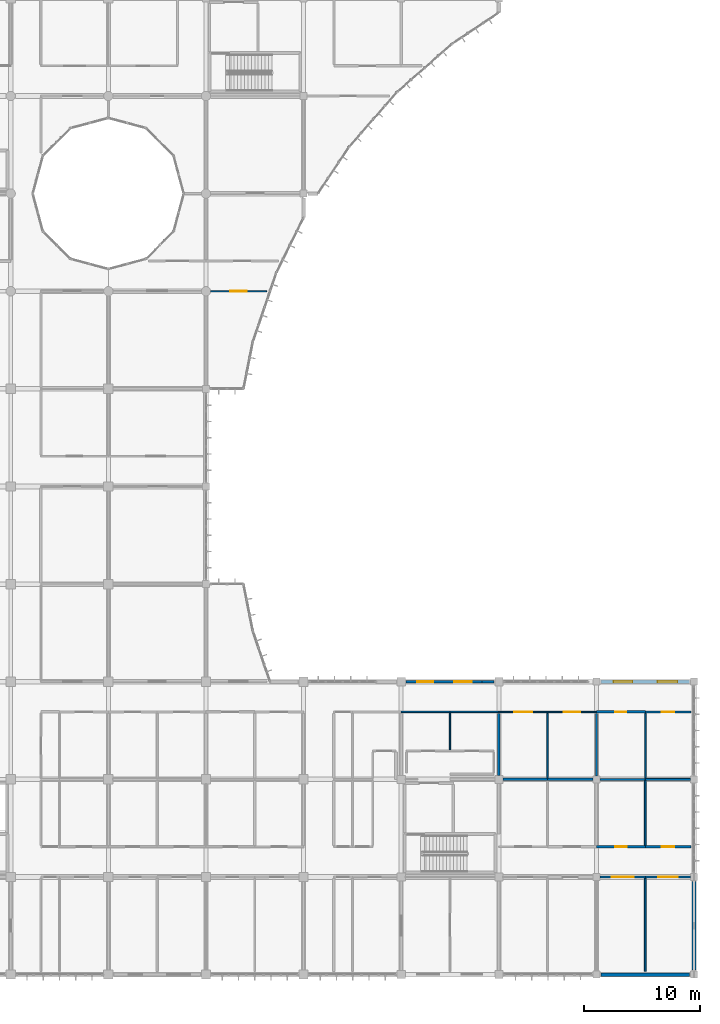
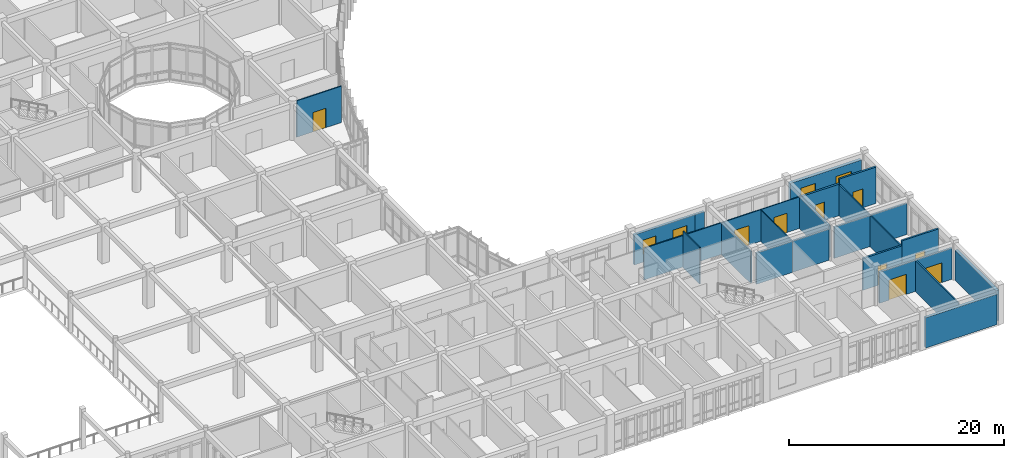
# One storey, part 118 of 144: 27 walls, 9 doors, 4 windows, 13 openings.
"""IFC4 building model written with IfcOpenShell, lengths in metres."""

from ifc_helpers import new_model, si_unit, direction, frame, frame_2d, origin, place, context, subcontext, project, spatial, rectangle, extrude, material, layer, layer_set, type_object, element, fill, save


model = new_model("IFC4")

# Units and contexts
model_context = context("Model", 3, precision=1e-05, world=origin(), true_north=direction((0.0, 1.0)))
body_context = subcontext(model_context, "Body", "Model", "MODEL_VIEW")
ifc_project = project(units=[si_unit("LENGTHUNIT", "METRE"), si_unit("AREAUNIT", "SQUARE_METRE"), si_unit("VOLUMEUNIT", "CUBIC_METRE"), si_unit("PLANEANGLEUNIT", "RADIAN"), si_unit("MASSUNIT", "GRAM", prefix="KILO")], contexts=[model_context])

# Site, building, storey
site_placement = place(None, origin())
site = spatial("IfcSite", under=ifc_project, at=site_placement, CompositionType="ELEMENT")
building_placement = place(site_placement, origin())
building = spatial("IfcBuilding", under=site, at=building_placement, Name="Bramfleet General Hospital", CompositionType="ELEMENT")
storey_placement = place(building_placement, frame((0.0, 0.0, 4.800048828125)))
storey = spatial("IfcBuildingStorey", under=building, at=storey_placement, Name="L01", CompositionType="ELEMENT", Elevation=4.800048828125)

# Wall, openings, windows
ifc_material_1 = material(Name="Precast concrete C40/50", Category="concrete")
ifc_layer_1 = layer(ifc_material_1, 0.3349609375, Name="WT-EW-03")
ifc_layer_set_1 = layer_set([ifc_layer_1], Name="Precast concrete C40/50")
wall_type_1 = type_object("IfcWallType", Name="WT-EW-03", PredefinedType="SOLIDWALL", material=ifc_layer_set_1)
wall_1_placement = place(storey_placement, frame((159.97509765625, 25.199951171875, 0.0), z_axis=(0.0, 0.0, 1.0), x_axis=(1.0, 0.0, 0.0)))
wall_1 = element("IfcWall", 1, at=wall_1_placement, inside=storey, type_object=wall_type_1, Name="L01 Exterior Wall 183", PredefinedType="SOLIDWALL", context=body_context, shape_type="SweptSolid", body=[
    extrude(rectangle(XDim=7.64990234375, YDim=0.3349609375, at=frame_2d((3.824951171875, 0.0))), origin(), (0.0, 0.0, 1.0), 3.43994140625),
])
opening_1_placement = place(wall_1_placement, frame((1.112548828125, 0.0, 0.85009765625)))
opening_1 = element("IfcOpeningElement", 2, at=opening_1_placement, cuts=wall_1, Name="Opening W-36", PredefinedType="OPENING", context=body_context, shape_type="SweptSolid", body=[
    extrude(rectangle(XDim=1.60009765625, YDim=1.659912109375, at=frame_2d((0.800048828125, 0.830078125))), frame((0.0, 0.177490234375, 0.0), z_axis=(0.0, -1.0, 0.0), x_axis=(1.0, 0.0, 0.0)), (0.0, 0.0, 1.0), 0.35498046875),
])
opening_2_placement = place(wall_1_placement, frame((4.887451171875, 0.0, 0.85009765625)))
opening_2 = element("IfcOpeningElement", 3, at=opening_2_placement, cuts=wall_1, Name="Opening W-37", PredefinedType="OPENING", context=body_context, shape_type="SweptSolid", body=[
    extrude(rectangle(XDim=1.699951171875, YDim=1.659912109375, at=frame_2d((0.85009765625, 0.830078125))), frame((0.0, 0.177490234375, 0.0), z_axis=(0.0, -1.0, 0.0), x_axis=(1.0, 0.0, 0.0)), (0.0, 0.0, 1.0), 0.35498046875),
])
ifc_material_2 = material(Name="Anodised aluminium and low-E triple glazing", Category="aluminium")
window_type_1 = type_object("IfcWindowType", Name="WIN-W-36", PartitioningType="SINGLE_PANEL", PredefinedType="WINDOW", material=ifc_material_2)
window_1_placement = place(opening_1_placement, origin())
window_1 = element("IfcWindow", 4, at=window_1_placement, inside=storey, type_object=window_type_1, Name="L01 Facade Window WIN-L01-183-1", OverallHeight=1.659912109375, OverallWidth=1.60009765625, PartitioningType="SINGLE_PANEL", PredefinedType="WINDOW", context=body_context, shape_type="SweptSolid", body=[
    extrude(rectangle(XDim=1.60009765625, YDim=1.659912109375, at=frame_2d((0.800048828125, 0.830078125))), frame((0.0, 0.030029296875, 0.0), z_axis=(0.0, -1.0, 0.0), x_axis=(1.0, 0.0, 0.0)), (0.0, 0.0, 1.0), 0.06005859375),
])
fill(opening_1, window_1)
window_type_2 = type_object("IfcWindowType", Name="WIN-W-37", PartitioningType="SINGLE_PANEL", PredefinedType="WINDOW", material=ifc_material_2)
window_2_placement = place(opening_2_placement, origin())
window_2 = element("IfcWindow", 5, at=window_2_placement, inside=storey, type_object=window_type_2, Name="L01 Facade Window WIN-L01-183-2", OverallHeight=1.659912109375, OverallWidth=1.699951171875, PartitioningType="SINGLE_PANEL", PredefinedType="WINDOW", context=body_context, shape_type="SweptSolid", body=[
    extrude(rectangle(XDim=1.699951171875, YDim=1.659912109375, at=frame_2d((0.85009765625, 0.830078125))), frame((0.0, 0.030029296875, 0.0), z_axis=(0.0, -1.0, 0.0), x_axis=(1.0, 0.0, 0.0)), (0.0, 0.0, 1.0), 0.06005859375),
])
fill(opening_2, window_2)

# Walls
ifc_layer_2 = layer(ifc_material_1, 0.31494140625, Name="WT-EW-04")
ifc_layer_set_2 = layer_set([ifc_layer_2], Name="Precast concrete C40/50")
wall_type_2 = type_object("IfcWallType", Name="WT-EW-04", PredefinedType="SOLIDWALL", material=ifc_layer_set_2)
wall_2_placement = place(storey_placement, frame((168.0, 8.02490234375, 0.0), z_axis=(0.0, 0.0, 1.0), x_axis=(0.0, -1.0, 0.0)))
element("IfcWall", 6, at=wall_2_placement, inside=storey, type_object=wall_type_2, Name="L01 Exterior Wall 184", PredefinedType="SOLIDWALL", context=body_context, shape_type="SweptSolid", body=[
    extrude(rectangle(XDim=7.64990234375, YDim=0.31494140625, at=frame_2d((3.824951171875, 0.0))), origin(), (0.0, 0.0, 1.0), 3.43994140625),
])
ifc_layer_3 = layer(ifc_material_1, 0.294921875, Name="WT-EW-05")
ifc_layer_set_3 = layer_set([ifc_layer_3], Name="Precast concrete C40/50")
wall_type_3 = type_object("IfcWallType", Name="WT-EW-05", PredefinedType="SOLIDWALL", material=ifc_layer_set_3)
wall_3_placement = place(storey_placement, frame((167.625, 0.0, 0.0), z_axis=(0.0, 0.0, 1.0), x_axis=(-1.0, 0.0, 0.0)))
element("IfcWall", 7, at=wall_3_placement, inside=storey, type_object=wall_type_3, Name="L01 Exterior Wall 185", PredefinedType="SOLIDWALL", context=body_context, shape_type="SweptSolid", body=[
    extrude(rectangle(XDim=7.64990234375, YDim=0.294921875, at=frame_2d((3.824951171875, 0.0))), origin(), (0.0, 0.0, 1.0), 3.43994140625),
])

# Wall, openings, windows
ifc_layer_4 = layer(ifc_material_1, 0.25, Name="WT-EW-08")
ifc_layer_set_4 = layer_set([ifc_layer_4], Name="Precast concrete C40/50")
wall_type_4 = type_object("IfcWallType", Name="WT-EW-08", PredefinedType="SOLIDWALL", material=ifc_layer_set_4)
wall_4_placement = place(storey_placement, frame((143.22509765625, 25.199951171875, 0.0), z_axis=(0.0, 0.0, 1.0), x_axis=(1.0, 0.0, 0.0)))
wall_4 = element("IfcWall", 8, at=wall_4_placement, inside=storey, type_object=wall_type_4, Name="L01 Exterior Wall 181", PredefinedType="SOLIDWALL", context=body_context, shape_type="SweptSolid", body=[
    extrude(rectangle(XDim=6.535888671875, YDim=0.25, at=frame_2d((3.26806640625, 0.0))), origin(), (0.0, 0.0, 1.0), 3.43994140625),
])
opening_3_placement = place(wall_4_placement, frame((0.93408203125, 0.0, 0.85009765625)))
opening_3 = element("IfcOpeningElement", 9, at=opening_3_placement, cuts=wall_4, Name="Opening W-34", PredefinedType="OPENING", context=body_context, shape_type="SweptSolid", body=[
    extrude(rectangle(XDim=1.39990234375, YDim=1.659912109375, at=frame_2d((0.699951171875, 0.830078125))), frame((0.0, 0.135009765625, 0.0), z_axis=(0.0, -1.0, 0.0), x_axis=(1.0, 0.0, 0.0)), (0.0, 0.0, 1.0), 0.27001953125),
])
opening_4_placement = place(wall_4_placement, frame((4.152099609375, 0.0, 0.85009765625)))
opening_4 = element("IfcOpeningElement", 10, at=opening_4_placement, cuts=wall_4, Name="Opening W-35", PredefinedType="OPENING", context=body_context, shape_type="SweptSolid", body=[
    extrude(rectangle(XDim=1.5, YDim=1.659912109375, at=frame_2d((0.75, 0.830078125))), frame((0.0, 0.135009765625, 0.0), z_axis=(0.0, -1.0, 0.0), x_axis=(1.0, 0.0, 0.0)), (0.0, 0.0, 1.0), 0.27001953125),
])
window_type_3 = type_object("IfcWindowType", Name="WIN-W-34", PartitioningType="SINGLE_PANEL", PredefinedType="WINDOW", material=ifc_material_2)
window_3_placement = place(opening_3_placement, origin())
window_3 = element("IfcWindow", 11, at=window_3_placement, inside=storey, type_object=window_type_3, Name="L01 Facade Window WIN-L01-181-1", OverallHeight=1.659912109375, OverallWidth=1.39990234375, PartitioningType="SINGLE_PANEL", PredefinedType="WINDOW", context=body_context, shape_type="SweptSolid", body=[
    extrude(rectangle(XDim=1.39990234375, YDim=1.659912109375, at=frame_2d((0.699951171875, 0.830078125))), frame((0.0, 0.030029296875, 0.0), z_axis=(0.0, -1.0, 0.0), x_axis=(1.0, 0.0, 0.0)), (0.0, 0.0, 1.0), 0.06005859375),
])
fill(opening_3, window_3)
window_type_4 = type_object("IfcWindowType", Name="WIN-W-35", PartitioningType="SINGLE_PANEL", PredefinedType="WINDOW", material=ifc_material_2)
window_4_placement = place(opening_4_placement, origin())
window_4 = element("IfcWindow", 12, at=window_4_placement, inside=storey, type_object=window_type_4, Name="L01 Facade Window WIN-L01-181-2", OverallHeight=1.659912109375, OverallWidth=1.5, PartitioningType="SINGLE_PANEL", PredefinedType="WINDOW", context=body_context, shape_type="SweptSolid", body=[
    extrude(rectangle(XDim=1.5, YDim=1.659912109375, at=frame_2d((0.75, 0.830078125))), frame((0.0, 0.030029296875, 0.0), z_axis=(0.0, -1.0, 0.0), x_axis=(1.0, 0.0, 0.0)), (0.0, 0.0, 1.0), 0.06005859375),
])
fill(opening_4, window_4)

# Wall
ifc_layer_5 = layer(ifc_material_1, 0.235107421875, Name="WT-EW-09")
ifc_layer_set_5 = layer_set([ifc_layer_5], Name="Precast concrete C40/50")
wall_type_5 = type_object("IfcWallType", Name="WT-EW-09", PredefinedType="SOLIDWALL", material=ifc_layer_set_5)
wall_5_placement = place(storey_placement, frame((149.760986328125, 25.199951171875, 0.0), z_axis=(0.0, 0.0, 1.0), x_axis=(1.0, 0.0, 0.0)))
element("IfcWall", 13, at=wall_5_placement, inside=storey, type_object=wall_type_5, Name="L01 Exterior Wall 182", PredefinedType="SOLIDWALL", context=body_context, shape_type="SweptSolid", body=[
    extrude(rectangle(XDim=1.013916015625, YDim=0.235107421875, at=frame_2d((0.5068359375, 0.0))), origin(), (0.0, 0.0, 1.0), 3.43994140625),
])

# Wall, opening, door
ifc_material_3 = material(Name="Concrete C35/45", Category="concrete")
ifc_layer_6 = layer(ifc_material_3, 0.219970703125, Name="WT-IW-01")
ifc_layer_set_6 = layer_set([ifc_layer_6], Name="Concrete C35/45")
wall_type_6 = type_object("IfcWallType", Name="WT-IW-01", PredefinedType="PARTITIONING", material=ifc_layer_set_6)
wall_6_placement = place(storey_placement, frame((159.60009765625, 22.60009765625, 0.0), z_axis=(0.0, 0.0, 1.0), x_axis=(1.0, 0.0, 0.0)))
wall_6 = element("IfcWall", 14, at=wall_6_placement, inside=storey, type_object=wall_type_6, Name="L01 Interior Partition IW-L01-1309", PredefinedType="PARTITIONING", context=body_context, shape_type="SweptSolid", body=[
    extrude(rectangle(XDim=4.199951171875, YDim=0.219970703125, at=frame_2d((2.10009765625, 0.0))), origin(), (0.0, 0.0, 1.0), 3.58984375),
])
opening_5_placement = place(wall_6_placement, frame((1.625, 0.0, 0.0)))
opening_5 = element("IfcOpeningElement", 15, at=opening_5_placement, cuts=wall_6, Name="Opening D0842", PredefinedType="OPENING", context=body_context, shape_type="SweptSolid", body=[
    extrude(rectangle(XDim=0.949951171875, YDim=2.10009765625, at=frame_2d((0.47509765625, 1.050048828125))), frame((0.0, 0.119873046875, 0.0), z_axis=(0.0, -1.0, 0.0), x_axis=(1.0, 0.0, 0.0)), (0.0, 0.0, 1.0), 0.239990234375),
])
ifc_material_4 = material(Name="Stainless steel and acoustic timber leaf", Category="steel")
door_type_1 = type_object("IfcDoorType", Name="DR-D-10", OperationType="NOTDEFINED", PredefinedType="DOOR", material=ifc_material_4)
door_1_placement = place(opening_5_placement, origin())
door_1 = element("IfcDoor", 16, at=door_1_placement, inside=storey, type_object=door_type_1, Name="Outpatient Specialist Clinic L01-1902A Door D0842", OperationType="SINGLE_SWING_LEFT", OverallHeight=2.10009765625, OverallWidth=0.949951171875, PredefinedType="DOOR", context=body_context, shape_type="SweptSolid", body=[
    extrude(rectangle(XDim=0.949951171875, YDim=2.10009765625, at=frame_2d((0.47509765625, 1.050048828125))), frame((0.0, 0.02490234375, 0.0), z_axis=(0.0, -1.0, 0.0), x_axis=(1.0, 0.0, 0.0)), (0.0, 0.0, 1.0), 0.050048828125),
])
fill(opening_5, door_1)

ifc_layer_7 = layer(ifc_material_3, 0.205078125, Name="WT-IW-02")
ifc_layer_set_7 = layer_set([ifc_layer_7], Name="Concrete C35/45")
wall_type_7 = type_object("IfcWallType", Name="WT-IW-02", PredefinedType="PARTITIONING", material=ifc_layer_set_7)
wall_7_placement = place(storey_placement, frame((159.89501953125, 8.39990234375, 0.0), z_axis=(0.0, 0.0, 1.0), x_axis=(1.0, 0.0, 0.0)))
wall_7 = element("IfcWall", 17, at=wall_7_placement, inside=storey, type_object=wall_type_7, Name="L01 Interior Partition IW-L01-1226", PredefinedType="PARTITIONING", context=body_context, shape_type="SweptSolid", body=[
    extrude(rectangle(XDim=3.905029296875, YDim=0.205078125, at=frame_2d((1.95263671875, 0.0))), origin(), (0.0, 0.0, 1.0), 3.5400390625),
])
opening_6_placement = place(wall_7_placement, frame((1.00244140625, 0.0, 0.0)))
opening_6 = element("IfcOpeningElement", 18, at=opening_6_placement, cuts=wall_7, Name="Opening D0838", PredefinedType="OPENING", context=body_context, shape_type="SweptSolid", body=[
    extrude(rectangle(XDim=1.89990234375, YDim=2.300048828125, at=frame_2d((0.949951171875, 1.14990234375))), frame((0.0, 0.112548828125, 0.0), z_axis=(0.0, -1.0, 0.0), x_axis=(1.0, 0.0, 0.0)), (0.0, 0.0, 1.0), 0.22509765625),
])
door_type_2 = type_object("IfcDoorType", Name="DR-D-06", OperationType="NOTDEFINED", PredefinedType="DOOR", material=ifc_material_4)
door_2_placement = place(opening_6_placement, origin())
door_2 = element("IfcDoor", 19, at=door_2_placement, inside=storey, type_object=door_type_2, Name="Outpatient Specialist Clinic L01-1900A Door D0838", OperationType="DOUBLE_SWING_LEFT", OverallHeight=2.300048828125, OverallWidth=1.89990234375, PredefinedType="DOOR", context=body_context, shape_type="SweptSolid", body=[
    extrude(rectangle(XDim=1.89990234375, YDim=2.300048828125, at=frame_2d((0.949951171875, 1.14990234375))), frame((0.0, 0.02490234375, 0.0), z_axis=(0.0, -1.0, 0.0), x_axis=(1.0, 0.0, 0.0)), (0.0, 0.0, 1.0), 0.050048828125),
])
fill(opening_6, door_2)

wall_8_placement = place(storey_placement, frame((159.60009765625, 11.0, 0.0), z_axis=(0.0, 0.0, 1.0), x_axis=(1.0, 0.0, 0.0)))
wall_8 = element("IfcWall", 20, at=wall_8_placement, inside=storey, type_object=wall_type_7, Name="L01 Interior Partition IW-L01-1250", PredefinedType="PARTITIONING", context=body_context, shape_type="SweptSolid", body=[
    extrude(rectangle(XDim=4.199951171875, YDim=0.205078125, at=frame_2d((2.10009765625, 0.0))), origin(), (0.0, 0.0, 1.0), 3.58984375),
])
opening_7_placement = place(wall_8_placement, frame((1.60009765625, 0.0, 0.0)))
opening_7 = element("IfcOpeningElement", 21, at=opening_7_placement, cuts=wall_8, Name="Opening D0840", PredefinedType="OPENING", context=body_context, shape_type="SweptSolid", body=[
    extrude(rectangle(XDim=1.0, YDim=2.14990234375, at=frame_2d((0.5, 1.074951171875))), frame((0.0, 0.112548828125, 0.0), z_axis=(0.0, -1.0, 0.0), x_axis=(1.0, 0.0, 0.0)), (0.0, 0.0, 1.0), 0.22509765625),
])
door_type_3 = type_object("IfcDoorType", Name="DR-D-08", OperationType="NOTDEFINED", PredefinedType="DOOR", material=ifc_material_4)
door_3_placement = place(opening_7_placement, origin())
door_3 = element("IfcDoor", 22, at=door_3_placement, inside=storey, type_object=door_type_3, Name="Outpatient Specialist Clinic L01-1901A Door D0840", OperationType="SINGLE_SWING_LEFT", OverallHeight=2.14990234375, OverallWidth=1.0, PredefinedType="DOOR", context=body_context, shape_type="SweptSolid", body=[
    extrude(rectangle(XDim=1.0, YDim=2.14990234375, at=frame_2d((0.5, 1.074951171875))), frame((0.0, 0.02490234375, 0.0), z_axis=(0.0, -1.0, 0.0), x_axis=(1.0, 0.0, 0.0)), (0.0, 0.0, 1.0), 0.050048828125),
])
fill(opening_7, door_3)

# Wall
wall_9_placement = place(storey_placement, frame((151.544921875, 16.800048828125, 0.0), z_axis=(0.0, 0.0, 1.0), x_axis=(1.0, 0.0, 0.0)))
element("IfcWall", 23, at=wall_9_placement, inside=storey, type_object=wall_type_7, Name="L01 Interior Partition IW-L01-1274", PredefinedType="PARTITIONING", context=body_context, shape_type="SweptSolid", body=[
    extrude(rectangle(XDim=3.85498046875, YDim=0.205078125, at=frame_2d((1.927490234375, 0.0))), origin(), (0.0, 0.0, 1.0), 3.5400390625),
])

# Wall, opening, door
wall_10_placement = place(storey_placement, frame((163.800048828125, 22.60009765625, 0.0), z_axis=(0.0, 0.0, 1.0), x_axis=(1.0, 0.0, 0.0)))
wall_10 = element("IfcWall", 24, at=wall_10_placement, inside=storey, type_object=wall_type_7, Name="L01 Interior Partition IW-L01-1310", PredefinedType="PARTITIONING", context=body_context, shape_type="SweptSolid", body=[
    extrude(rectangle(XDim=3.919921875, YDim=0.205078125, at=frame_2d((1.9599609375, 0.0))), origin(), (0.0, 0.0, 1.0), 4.139892578125),
])
opening_8_placement = place(wall_10_placement, frame((1.409912109375, 0.0, 0.0)))
opening_8 = element("IfcOpeningElement", 25, at=opening_8_placement, cuts=wall_10, Name="Opening D0843", PredefinedType="OPENING", context=body_context, shape_type="SweptSolid", body=[
    extrude(rectangle(XDim=1.10009765625, YDim=2.14990234375, at=frame_2d((0.550048828125, 1.074951171875))), frame((0.0, 0.112548828125, 0.0), z_axis=(0.0, -1.0, 0.0), x_axis=(1.0, 0.0, 0.0)), (0.0, 0.0, 1.0), 0.22509765625),
])
door_type_4 = type_object("IfcDoorType", Name="DR-D-11", OperationType="NOTDEFINED", PredefinedType="DOOR", material=ifc_material_4)
door_4_placement = place(opening_8_placement, origin())
door_4 = element("IfcDoor", 26, at=door_4_placement, inside=storey, type_object=door_type_4, Name="Outpatient Consultation Room L01-1902B Door D0843", OperationType="SINGLE_SWING_RIGHT", OverallHeight=2.14990234375, OverallWidth=1.10009765625, PredefinedType="DOOR", context=body_context, shape_type="SweptSolid", body=[
    extrude(rectangle(XDim=1.10009765625, YDim=2.14990234375, at=frame_2d((0.550048828125, 1.074951171875))), frame((0.0, 0.02490234375, 0.0), z_axis=(0.0, -1.0, 0.0), x_axis=(1.0, 0.0, 0.0)), (0.0, 0.0, 1.0), 0.050048828125),
])
fill(opening_8, door_4)

# Wall
wall_11_placement = place(storey_placement, frame((159.60009765625, 17.094970703125, 0.0), z_axis=(0.0, 0.0, 1.0), x_axis=(0.0, 1.0, 0.0)))
element("IfcWall", 27, at=wall_11_placement, inside=storey, type_object=wall_type_7, Name="L01 Interior Partition IW-L01-1922", PredefinedType="PARTITIONING", context=body_context, shape_type="SweptSolid", body=[
    extrude(rectangle(XDim=5.39013671875, YDim=0.205078125, at=frame_2d((2.695068359375, 0.0))), origin(), (0.0, 0.0, 1.0), 3.58984375),
])

# Wall, opening, door
ifc_layer_8 = layer(ifc_material_3, 0.18994140625, Name="WT-IW-03")
ifc_layer_set_8 = layer_set([ifc_layer_8], Name="Concrete C35/45")
wall_type_8 = type_object("IfcWallType", Name="WT-IW-03", PredefinedType="PARTITIONING", material=ifc_layer_set_8)
wall_12_placement = place(storey_placement, frame((163.800048828125, 8.39990234375, 0.0), z_axis=(0.0, 0.0, 1.0), x_axis=(1.0, 0.0, 0.0)))
wall_12 = element("IfcWall", 28, at=wall_12_placement, inside=storey, type_object=wall_type_8, Name="L01 Interior Partition IW-L01-1227", PredefinedType="PARTITIONING", context=body_context, shape_type="SweptSolid", body=[
    extrude(rectangle(XDim=3.905029296875, YDim=0.18994140625, at=frame_2d((1.95263671875, 0.0))), origin(), (0.0, 0.0, 1.0), 3.5400390625),
])
opening_9_placement = place(wall_12_placement, frame((1.1025390625, 0.0, 0.0)))
opening_9 = element("IfcOpeningElement", 29, at=opening_9_placement, cuts=wall_12, Name="Opening D0839", PredefinedType="OPENING", context=body_context, shape_type="SweptSolid", body=[
    extrude(rectangle(XDim=1.699951171875, YDim=2.25, at=frame_2d((0.85009765625, 1.125))), frame((0.0, 0.10498046875, 0.0), z_axis=(0.0, -1.0, 0.0), x_axis=(1.0, 0.0, 0.0)), (0.0, 0.0, 1.0), 0.2099609375),
])
door_type_5 = type_object("IfcDoorType", Name="DR-D-07", OperationType="NOTDEFINED", PredefinedType="DOOR", material=ifc_material_4)
door_5_placement = place(opening_9_placement, origin())
door_5 = element("IfcDoor", 30, at=door_5_placement, inside=storey, type_object=door_type_5, Name="Outpatient Consultation Room L01-1900B Door D0839", OperationType="DOUBLE_SWING_RIGHT", OverallHeight=2.25, OverallWidth=1.699951171875, PredefinedType="DOOR", context=body_context, shape_type="SweptSolid", body=[
    extrude(rectangle(XDim=1.699951171875, YDim=2.25, at=frame_2d((0.85009765625, 1.125))), frame((0.0, 0.02490234375, 0.0), z_axis=(0.0, -1.0, 0.0), x_axis=(1.0, 0.0, 0.0)), (0.0, 0.0, 1.0), 0.050048828125),
])
fill(opening_9, door_5)

wall_13_placement = place(storey_placement, frame((163.800048828125, 11.0, 0.0), z_axis=(0.0, 0.0, 1.0), x_axis=(1.0, 0.0, 0.0)))
wall_13 = element("IfcWall", 31, at=wall_13_placement, inside=storey, type_object=wall_type_8, Name="L01 Interior Partition IW-L01-1251", PredefinedType="PARTITIONING", context=body_context, shape_type="SweptSolid", body=[
    extrude(rectangle(XDim=3.919921875, YDim=0.18994140625, at=frame_2d((1.9599609375, 0.0))), origin(), (0.0, 0.0, 1.0), 4.139892578125),
])
opening_10_placement = place(wall_13_placement, frame((1.43505859375, 0.0, 0.0)))
opening_10 = element("IfcOpeningElement", 32, at=opening_10_placement, cuts=wall_13, Name="Opening D0841", PredefinedType="OPENING", context=body_context, shape_type="SweptSolid", body=[
    extrude(rectangle(XDim=1.050048828125, YDim=2.14990234375, at=frame_2d((0.52490234375, 1.074951171875))), frame((0.0, 0.10498046875, 0.0), z_axis=(0.0, -1.0, 0.0), x_axis=(1.0, 0.0, 0.0)), (0.0, 0.0, 1.0), 0.2099609375),
])
door_type_6 = type_object("IfcDoorType", Name="DR-D-09", OperationType="NOTDEFINED", PredefinedType="DOOR", material=ifc_material_4)
door_6_placement = place(opening_10_placement, origin())
door_6 = element("IfcDoor", 33, at=door_6_placement, inside=storey, type_object=door_type_6, Name="Outpatient Consultation Room L01-1901B Door D0841", OperationType="SINGLE_SWING_RIGHT", OverallHeight=2.14990234375, OverallWidth=1.050048828125, PredefinedType="DOOR", context=body_context, shape_type="SweptSolid", body=[
    extrude(rectangle(XDim=1.050048828125, YDim=2.14990234375, at=frame_2d((0.52490234375, 1.074951171875))), frame((0.0, 0.02490234375, 0.0), z_axis=(0.0, -1.0, 0.0), x_axis=(1.0, 0.0, 0.0)), (0.0, 0.0, 1.0), 0.050048828125),
])
fill(opening_10, door_6)

# Walls
wall_14_placement = place(storey_placement, frame((155.39990234375, 16.800048828125, 0.0), z_axis=(0.0, 0.0, 1.0), x_axis=(1.0, 0.0, 0.0)))
element("IfcWall", 34, at=wall_14_placement, inside=storey, type_object=wall_type_8, Name="L01 Interior Partition IW-L01-1275", PredefinedType="PARTITIONING", context=body_context, shape_type="SweptSolid", body=[
    extrude(rectangle(XDim=3.905029296875, YDim=0.18994140625, at=frame_2d((1.95263671875, 0.0))), origin(), (0.0, 0.0, 1.0), 3.5400390625),
])
wall_15_placement = place(storey_placement, frame((151.199951171875, 17.14501953125, 0.0), z_axis=(0.0, 0.0, 1.0), x_axis=(0.0, 1.0, 0.0)))
element("IfcWall", 35, at=wall_15_placement, inside=storey, type_object=wall_type_8, Name="L01 Interior Partition IW-L01-1911", PredefinedType="PARTITIONING", context=body_context, shape_type="SweptSolid", body=[
    extrude(rectangle(XDim=5.340087890625, YDim=0.18994140625, at=frame_2d((2.669921875, 0.0))), origin(), (0.0, 0.0, 1.0), 3.58984375),
])
ifc_layer_9 = layer(ifc_material_3, 0.179931640625, Name="WT-IW-04")
ifc_layer_set_9 = layer_set([ifc_layer_9], Name="Concrete C35/45")
wall_type_9 = type_object("IfcWallType", Name="WT-IW-04", PredefinedType="PARTITIONING", material=ifc_layer_set_9)
wall_16_placement = place(storey_placement, frame((159.89501953125, 16.800048828125, 0.0), z_axis=(0.0, 0.0, 1.0), x_axis=(1.0, 0.0, 0.0)))
element("IfcWall", 36, at=wall_16_placement, inside=storey, type_object=wall_type_9, Name="L01 Interior Partition IW-L01-1276", PredefinedType="PARTITIONING", context=body_context, shape_type="SweptSolid", body=[
    extrude(rectangle(XDim=3.905029296875, YDim=0.179931640625, at=frame_2d((1.95263671875, 0.0))), origin(), (0.0, 0.0, 1.0), 3.5400390625),
])
ifc_material_5 = material(Name="Gypsum plasterboard on acoustic steel studs", Category="steel")
ifc_layer_10 = layer(ifc_material_5, 0.169921875, Name="WT-IW-05")
ifc_layer_set_10 = layer_set([ifc_layer_10], Name="Gypsum plasterboard on acoustic steel studs")
wall_type_10 = type_object("IfcWallType", Name="WT-IW-05", PredefinedType="PARTITIONING", material=ifc_layer_set_10)
wall_17_placement = place(storey_placement, frame((163.800048828125, 16.800048828125, 0.0), z_axis=(0.0, 0.0, 1.0), x_axis=(1.0, 0.0, 0.0)))
element("IfcWall", 37, at=wall_17_placement, inside=storey, type_object=wall_type_10, Name="L01 Interior Partition IW-L01-1277", PredefinedType="PARTITIONING", context=body_context, shape_type="SweptSolid", body=[
    extrude(rectangle(XDim=3.905029296875, YDim=0.169921875, at=frame_2d((1.95263671875, 0.0))), origin(), (0.0, 0.0, 1.0), 3.5400390625),
])
ifc_layer_11 = layer(ifc_material_5, 0.14990234375, Name="WT-IW-07")
ifc_layer_set_11 = layer_set([ifc_layer_11], Name="Gypsum plasterboard on acoustic steel studs")
wall_type_11 = type_object("IfcWallType", Name="WT-IW-07", PredefinedType="PARTITIONING", material=ifc_layer_set_11)
wall_18_placement = place(storey_placement, frame((163.800048828125, 0.280029296875, 0.0), z_axis=(0.0, 0.0, 1.0), x_axis=(0.0, 1.0, 0.0)))
element("IfcWall", 38, at=wall_18_placement, inside=storey, type_object=wall_type_11, Name="L01 Interior Partition IW-L01-1927", PredefinedType="PARTITIONING", context=body_context, shape_type="SweptSolid", body=[
    extrude(rectangle(XDim=8.0048828125, YDim=0.14990234375, at=frame_2d((4.00244140625, 0.0))), origin(), (0.0, 0.0, 1.0), 3.5400390625),
])
ifc_layer_12 = layer(ifc_material_5, 0.139892578125, Name="WT-IW-08")
ifc_layer_set_12 = layer_set([ifc_layer_12], Name="Gypsum plasterboard on acoustic steel studs")
wall_type_12 = type_object("IfcWallType", Name="WT-IW-08", PredefinedType="PARTITIONING", material=ifc_layer_set_12)
wall_19_placement = place(storey_placement, frame((163.800048828125, 11.114990234375, 0.0), z_axis=(0.0, 0.0, 1.0), x_axis=(0.0, 1.0, 0.0)))
element("IfcWall", 39, at=wall_19_placement, inside=storey, type_object=wall_type_12, Name="L01 Interior Partition IW-L01-1928", PredefinedType="PARTITIONING", context=body_context, shape_type="SweptSolid", body=[
    extrude(rectangle(XDim=5.570068359375, YDim=0.139892578125, at=frame_2d((2.78515625, 0.0))), origin(), (0.0, 0.0, 1.0), 3.5400390625),
])
ifc_layer_13 = layer(ifc_material_5, 0.1298828125, Name="WT-IW-09")
ifc_layer_set_13 = layer_set([ifc_layer_13], Name="Gypsum plasterboard on acoustic steel studs")
wall_type_13 = type_object("IfcWallType", Name="WT-IW-09", PredefinedType="PARTITIONING", material=ifc_layer_set_13)
wall_20_placement = place(storey_placement, frame((142.800048828125, 22.60009765625, 0.0), z_axis=(0.0, 0.0, 1.0), x_axis=(1.0, 0.0, 0.0)))
element("IfcWall", 40, at=wall_20_placement, inside=storey, type_object=wall_type_13, Name="L01 Interior Partition IW-L01-1305", PredefinedType="PARTITIONING", context=body_context, shape_type="SweptSolid", body=[
    extrude(rectangle(XDim=4.199951171875, YDim=0.1298828125, at=frame_2d((2.10009765625, 0.0))), origin(), (0.0, 0.0, 1.0), 3.58984375),
])
wall_21_placement = place(storey_placement, frame((163.800048828125, 16.9150390625, 0.0), z_axis=(0.0, 0.0, 1.0), x_axis=(0.0, 1.0, 0.0)))
element("IfcWall", 41, at=wall_21_placement, inside=storey, type_object=wall_type_13, Name="L01 Interior Partition IW-L01-1929", PredefinedType="PARTITIONING", context=body_context, shape_type="SweptSolid", body=[
    extrude(rectangle(XDim=5.570068359375, YDim=0.1298828125, at=frame_2d((2.78515625, 0.0))), origin(), (0.0, 0.0, 1.0), 3.5400390625),
])
ifc_layer_14 = layer(ifc_material_5, 0.1201171875, Name="WT-IW-10")
ifc_layer_set_14 = layer_set([ifc_layer_14], Name="Gypsum plasterboard on acoustic steel studs")
wall_type_14 = type_object("IfcWallType", Name="WT-IW-10", PredefinedType="PARTITIONING", material=ifc_layer_set_14)
wall_22_placement = place(storey_placement, frame((147.0, 22.60009765625, 0.0), z_axis=(0.0, 0.0, 1.0), x_axis=(1.0, 0.0, 0.0)))
element("IfcWall", 42, at=wall_22_placement, inside=storey, type_object=wall_type_14, Name="L01 Interior Partition IW-L01-1306", PredefinedType="PARTITIONING", context=body_context, shape_type="SweptSolid", body=[
    extrude(rectangle(XDim=4.199951171875, YDim=0.1201171875, at=frame_2d((2.10009765625, 0.0))), origin(), (0.0, 0.0, 1.0), 3.58984375),
])

# Wall, opening, door
ifc_layer_15 = layer(ifc_material_5, 0.112060546875, Name="WT-IW-11")
ifc_layer_set_15 = layer_set([ifc_layer_15], Name="Gypsum plasterboard on acoustic steel studs")
wall_type_15 = type_object("IfcWallType", Name="WT-IW-11", PredefinedType="PARTITIONING", material=ifc_layer_set_15)
wall_23_placement = place(storey_placement, frame((151.199951171875, 22.60009765625, 0.0), z_axis=(0.0, 0.0, 1.0), x_axis=(1.0, 0.0, 0.0)))
wall_23 = element("IfcWall", 43, at=wall_23_placement, inside=storey, type_object=wall_type_15, Name="L01 Interior Partition IW-L01-1307", PredefinedType="PARTITIONING", context=body_context, shape_type="SweptSolid", body=[
    extrude(rectangle(XDim=4.199951171875, YDim=0.112060546875, at=frame_2d((2.10009765625, 0.0))), origin(), (0.0, 0.0, 1.0), 3.58984375),
])
opening_11_placement = place(wall_23_placement, frame((1.31005859375, 0.0, 0.0)))
opening_11 = element("IfcOpeningElement", 44, at=opening_11_placement, cuts=wall_23, Name="Opening D0832", PredefinedType="OPENING", context=body_context, shape_type="SweptSolid", body=[
    extrude(rectangle(XDim=1.580078125, YDim=2.219970703125, at=frame_2d((0.7900390625, 1.10986328125))), frame((0.0, 0.06591796875, 0.0), z_axis=(0.0, -1.0, 0.0), x_axis=(1.0, 0.0, 0.0)), (0.0, 0.0, 1.0), 0.132080078125),
])
door_type_7 = type_object("IfcDoorType", Name="DR-D-32", OperationType="NOTDEFINED", PredefinedType="DOOR", material=ifc_material_4)
door_7_placement = place(opening_11_placement, origin())
door_7 = element("IfcDoor", 45, at=door_7_placement, inside=storey, type_object=door_type_7, Name="Outpatient Specialist Clinic L01-1802A Door D0832", OperationType="DOUBLE_SWING_LEFT", OverallHeight=2.219970703125, OverallWidth=1.580078125, PredefinedType="DOOR", context=body_context, shape_type="SweptSolid", body=[
    extrude(rectangle(XDim=1.580078125, YDim=2.219970703125, at=frame_2d((0.7900390625, 1.10986328125))), frame((0.0, 0.02490234375, 0.0), z_axis=(0.0, -1.0, 0.0), x_axis=(1.0, 0.0, 0.0)), (0.0, 0.0, 1.0), 0.050048828125),
])
fill(opening_11, door_7)

wall_24_placement = place(storey_placement, frame((126.39501953125, 58.800048828125, 0.0), z_axis=(0.0, 0.0, 1.0), x_axis=(1.0, 0.0, 0.0)))
wall_24 = element("IfcWall", 46, at=wall_24_placement, inside=storey, type_object=wall_type_15, Name="L01 Interior Partition IW-L01-1391", PredefinedType="PARTITIONING", context=body_context, shape_type="SweptSolid", body=[
    extrude(rectangle(XDim=4.830810546875, YDim=0.112060546875, at=frame_2d((2.41552734375, 0.0))), origin(), (0.0, 0.0, 1.0), 4.139892578125),
])
opening_12_placement = place(wall_24_placement, frame((1.71533203125, 0.0, 0.0)))
opening_12 = element("IfcOpeningElement", 47, at=opening_12_placement, cuts=wall_24, Name="Opening D0801", PredefinedType="OPENING", context=body_context, shape_type="SweptSolid", body=[
    extrude(rectangle(XDim=1.39990234375, YDim=2.199951171875, at=frame_2d((0.699951171875, 1.10009765625))), frame((0.0, 0.06591796875, 0.0), z_axis=(0.0, -1.0, 0.0), x_axis=(1.0, 0.0, 0.0)), (0.0, 0.0, 1.0), 0.132080078125),
])
door_type_8 = type_object("IfcDoorType", Name="DR-D-01", OperationType="NOTDEFINED", PredefinedType="DOOR", material=ifc_material_4)
door_8_placement = place(opening_12_placement, origin())
door_8 = element("IfcDoor", 48, at=door_8_placement, inside=storey, type_object=door_type_8, Name="Pathology and Clinical Laboratory L01-1506A Door D0801", OperationType="SINGLE_SWING_RIGHT", OverallHeight=2.199951171875, OverallWidth=1.39990234375, PredefinedType="DOOR", context=body_context, shape_type="SweptSolid", body=[
    extrude(rectangle(XDim=1.39990234375, YDim=2.199951171875, at=frame_2d((0.699951171875, 1.10009765625))), frame((0.0, 0.02490234375, 0.0), z_axis=(0.0, -1.0, 0.0), x_axis=(1.0, 0.0, 0.0)), (0.0, 0.0, 1.0), 0.050048828125),
])
fill(opening_12, door_8)

# Walls
wall_25_placement = place(storey_placement, frame((147.0, 19.364990234375, 0.0), z_axis=(0.0, 0.0, 1.0), x_axis=(0.0, 1.0, 0.0)))
element("IfcWall", 49, at=wall_25_placement, inside=storey, type_object=wall_type_15, Name="L01 Interior Partition IW-L01-1907", PredefinedType="PARTITIONING", context=body_context, shape_type="SweptSolid", body=[
    extrude(rectangle(XDim=3.1201171875, YDim=0.112060546875, at=frame_2d((1.56005859375, 0.0))), origin(), (0.0, 0.0, 1.0), 4.139892578125),
])
wall_26_placement = place(storey_placement, frame((155.39990234375, 16.9150390625, 0.0), z_axis=(0.0, 0.0, 1.0), x_axis=(0.0, 1.0, 0.0)))
element("IfcWall", 50, at=wall_26_placement, inside=storey, type_object=wall_type_15, Name="L01 Interior Partition IW-L01-1919", PredefinedType="PARTITIONING", context=body_context, shape_type="SweptSolid", body=[
    extrude(rectangle(XDim=5.570068359375, YDim=0.112060546875, at=frame_2d((2.78515625, 0.0))), origin(), (0.0, 0.0, 1.0), 3.5400390625),
])

# Wall, opening, door
ifc_layer_16 = layer(ifc_material_5, 0.10009765625, Name="WT-IW-12")
ifc_layer_set_16 = layer_set([ifc_layer_16], Name="Gypsum plasterboard on acoustic steel studs")
wall_type_16 = type_object("IfcWallType", Name="WT-IW-12", PredefinedType="PARTITIONING", material=ifc_layer_set_16)
wall_27_placement = place(storey_placement, frame((155.39990234375, 22.60009765625, 0.0), z_axis=(0.0, 0.0, 1.0), x_axis=(1.0, 0.0, 0.0)))
wall_27 = element("IfcWall", 51, at=wall_27_placement, inside=storey, type_object=wall_type_16, Name="L01 Interior Partition IW-L01-1308", PredefinedType="PARTITIONING", context=body_context, shape_type="SweptSolid", body=[
    extrude(rectangle(XDim=4.2001953125, YDim=0.10009765625, at=frame_2d((2.10009765625, 0.0))), origin(), (0.0, 0.0, 1.0), 3.58984375),
])
opening_13_placement = place(wall_27_placement, frame((1.39990234375, 0.0, 0.0)))
opening_13 = element("IfcOpeningElement", 52, at=opening_13_placement, cuts=wall_27, Name="Opening D0833", PredefinedType="OPENING", context=body_context, shape_type="SweptSolid", body=[
    extrude(rectangle(XDim=1.39990234375, YDim=2.199951171875, at=frame_2d((0.699951171875, 1.10009765625))), frame((0.0, 0.06005859375, 0.0), z_axis=(0.0, -1.0, 0.0), x_axis=(1.0, 0.0, 0.0)), (0.0, 0.0, 1.0), 0.1201171875),
])
door_9_placement = place(opening_13_placement, origin())
door_9 = element("IfcDoor", 53, at=door_9_placement, inside=storey, type_object=door_type_8, Name="Outpatient Consultation Room L01-1802B Door D0833", OperationType="SINGLE_SWING_RIGHT", OverallHeight=2.199951171875, OverallWidth=1.39990234375, PredefinedType="DOOR", context=body_context, shape_type="SweptSolid", body=[
    extrude(rectangle(XDim=1.39990234375, YDim=2.199951171875, at=frame_2d((0.699951171875, 1.10009765625))), frame((0.0, 0.02490234375, 0.0), z_axis=(0.0, -1.0, 0.0), x_axis=(1.0, 0.0, 0.0)), (0.0, 0.0, 1.0), 0.050048828125),
])
fill(opening_13, door_9)

save(model, "model.ifc")
